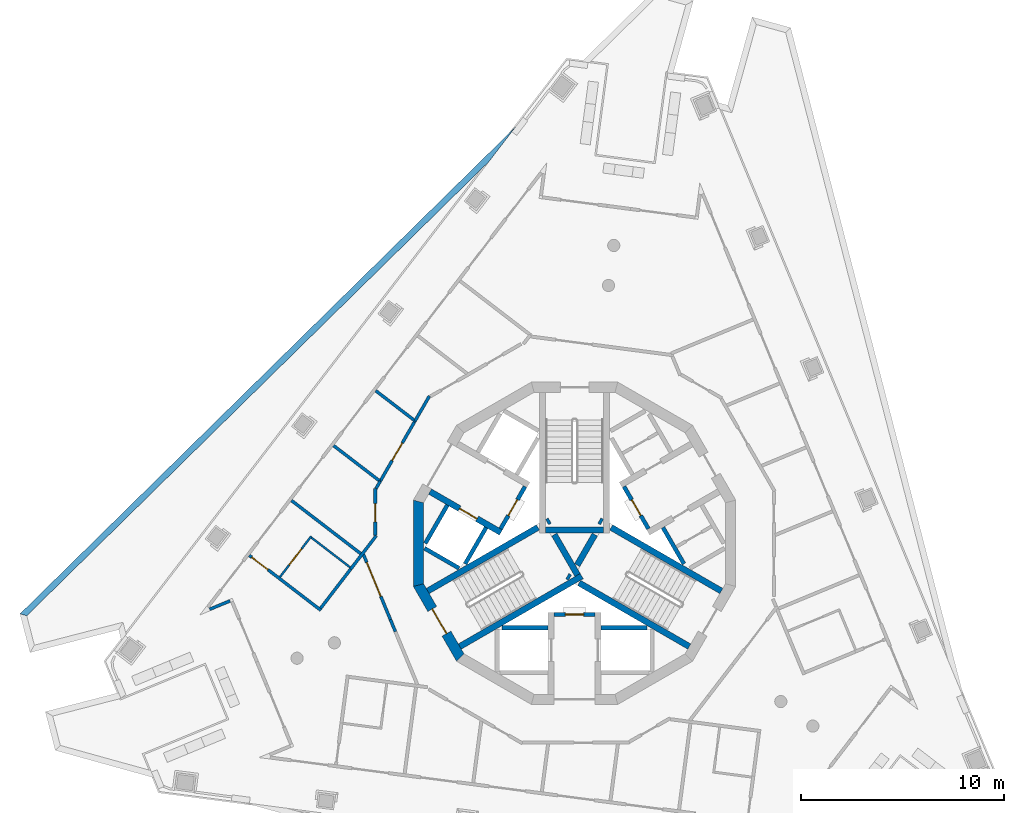
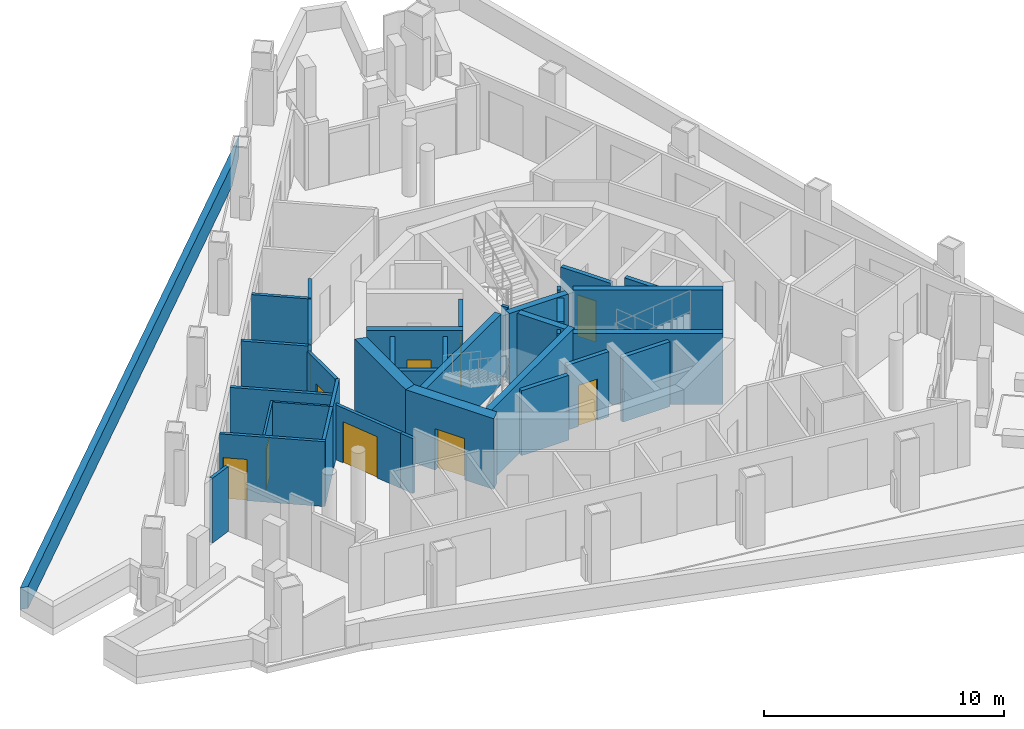
# One storey, part 3 of 12: 38 walls, 10 doors, 10 openings.
"""IFC4 building model written with IfcOpenShell, lengths in metres."""

from ifc_helpers import new_model, si_unit, direction, frame, frame_2d, origin, place, context, subcontext, project, spatial, polyline, rectangle, outline, extrude, material, layer, layer_set, type_object, element, fill, save


model = new_model("IFC4")

# Units and contexts
model_context = context("Model", 3, precision=1e-05, world=origin(), true_north=direction((0.0, 1.0)))
body_context = subcontext(model_context, "Body", "Model", "MODEL_VIEW")
ifc_project = project(units=[si_unit("LENGTHUNIT", "METRE"), si_unit("AREAUNIT", "SQUARE_METRE"), si_unit("VOLUMEUNIT", "CUBIC_METRE"), si_unit("PLANEANGLEUNIT", "RADIAN"), si_unit("MASSUNIT", "GRAM", prefix="KILO")], contexts=[model_context])

# Site, building, storey
site_placement = place(None, origin())
site = spatial("IfcSite", under=ifc_project, at=site_placement, CompositionType="ELEMENT")
building_placement = place(site_placement, origin())
building = spatial("IfcBuilding", under=site, at=building_placement, Name="Trine Commons Tower", CompositionType="ELEMENT")
storey_placement = place(building_placement, frame((0.0, 0.0, 271.800048828125)))
storey = spatial("IfcBuildingStorey", under=building, at=storey_placement, Name="L71", CompositionType="ELEMENT", Elevation=271.800048828125)

# Wall
ifc_material_1 = material(Name="Aluminium-framed insulated wall panel", Category="aluminium")
ifc_layer_1 = layer(ifc_material_1, 0.14990234375)
ifc_layer_set_1 = layer_set([ifc_layer_1], Name="Aluminium-framed insulated wall panel")
wall_type_1 = type_object("IfcWallType", Name="Glazed frame wall 150, EI 60", PredefinedType="SOLIDWALL", material=ifc_layer_set_1)
wall_1_placement = place(storey_placement, frame((63.17138671875, 59.712890625, 0.0), z_axis=(0.0, 0.0, 1.0), x_axis=(-0.923837625967, -0.382784588048, 0.0)))
element("IfcWall", 1, at=wall_1_placement, inside=storey, type_object=wall_type_1, Name="Glazed frame wall R12", PredefinedType="SOLIDWALL", context=body_context, shape_type="SweptSolid", body=[
    extrude(outline(polyline([(0.110107421875, 0.074951171875), (0.110107421875, -0.074951171875), (1.19580078125, -0.074951171875), (1.19580078125, 0.074951171875), (0.110107421875, 0.074951171875)])), origin(), (0.0, 0.0, 1.0), 3.300048828125),
])

# Wall, opening, door
ifc_material_2 = material(Name="Fire-rated gypsum shaft wall system")
ifc_layer_2 = layer(ifc_material_2, 0.199951171875)
ifc_layer_set_2 = layer_set([ifc_layer_2], Name="Fire-rated gypsum shaft wall system")
wall_type_2 = type_object("IfcWallType", Name="Lobby end wall 200 mm, EI 120", PredefinedType="PARTITIONING", material=ifc_layer_set_2)
wall_2_placement = place(storey_placement, frame((77.569091796875, 65.2890625, 0.0), z_axis=(0.0, 0.0, 1.0), x_axis=(-0.50012165622, -0.865955154139, 0.0)))
wall_2 = element("IfcWall", 2, at=wall_2_placement, inside=storey, type_object=wall_type_2, Name="Lobby end wall L71", PredefinedType="PARTITIONING", context=body_context, shape_type="SweptSolid", body=[
    extrude(rectangle(XDim=2.39990234375, YDim=0.199951171875, at=frame_2d((1.199951171875, 0.0))), origin(), (0.0, 0.0, 1.0), 3.300048828125),
])
opening_1_placement = place(wall_2_placement, frame((0.749755859375, 0.0, 0.0)))
opening_1 = element("IfcOpeningElement", 3, at=opening_1_placement, cuts=wall_2, Name="Opening K19.07", PredefinedType="OPENING", context=body_context, shape_type="SweptSolid", body=[
    extrude(rectangle(XDim=0.89990234375, YDim=2.10009765625, at=frame_2d((0.449951171875, 1.050048828125))), frame((0.0, 0.10986328125, 0.0), z_axis=(0.0, -1.0, 0.0), x_axis=(1.0, 0.0, 0.0)), (0.0, 0.0, 1.0), 0.219970703125),
])
ifc_material_3 = material(Name="Steel door leaf, fire-rated", Category="steel")
door_type_1 = type_object("IfcDoorType", Name="Riser access door, single leaf 900 x 2100, FD60", OperationType="SINGLE_SWING_LEFT", PredefinedType="DOOR", material=ifc_material_3)
door_1_placement = place(opening_1_placement, frame((0.89990234375, 0.0, 0.0), z_axis=(0.0, 0.0, 1.0), x_axis=(-1.0, 0.0, 0.0)))
door_1 = element("IfcDoor", 4, at=door_1_placement, inside=storey, type_object=door_type_1, Name="Riser door, Mechanical riser L71", OperationType="SINGLE_SWING_RIGHT", OverallHeight=2.10009765625, OverallWidth=0.89990234375, PredefinedType="DOOR", context=body_context, shape_type="SweptSolid", body=[
    extrude(rectangle(XDim=0.89990234375, YDim=2.10009765625, at=frame_2d((0.449951171875, 1.050048828125))), frame((0.0, 0.02490234375, 0.0), z_axis=(0.0, -1.0, 0.0), x_axis=(1.0, 0.0, 0.0)), (0.0, 0.0, 1.0), 0.050048828125),
])
fill(opening_1, door_1)

wall_3_placement = place(storey_placement, frame((79.0, 59.0, 0.0), z_axis=(0.0, 0.0, 1.0), x_axis=(1.0, 0.0, 0.0)))
wall_3 = element("IfcWall", 5, at=wall_3_placement, inside=storey, type_object=wall_type_2, Name="Lobby end wall L71", PredefinedType="PARTITIONING", context=body_context, shape_type="SweptSolid", body=[
    extrude(rectangle(XDim=2.0, YDim=0.199951171875, at=frame_2d((1.0, 0.0))), origin(), (0.0, 0.0, 1.0), 3.300048828125),
])
opening_2_placement = place(wall_3_placement, frame((0.550048828125, 0.0, 0.0)))
opening_2 = element("IfcOpeningElement", 6, at=opening_2_placement, cuts=wall_3, Name="Opening K19.09", PredefinedType="OPENING", context=body_context, shape_type="SweptSolid", body=[
    extrude(rectangle(XDim=0.89990234375, YDim=2.10009765625, at=frame_2d((0.449951171875, 1.050048828125))), frame((0.0, 0.10986328125, 0.0), z_axis=(0.0, -1.0, 0.0), x_axis=(1.0, 0.0, 0.0)), (0.0, 0.0, 1.0), 0.219970703125),
])
door_2_placement = place(opening_2_placement, frame((0.89990234375, 0.0, 0.0), z_axis=(0.0, 0.0, 1.0), x_axis=(-1.0, 0.0, 0.0)))
door_2 = element("IfcDoor", 7, at=door_2_placement, inside=storey, type_object=door_type_1, Name="Riser door, Communications riser L71", OperationType="SINGLE_SWING_RIGHT", OverallHeight=2.10009765625, OverallWidth=0.89990234375, PredefinedType="DOOR", context=body_context, shape_type="SweptSolid", body=[
    extrude(rectangle(XDim=0.89990234375, YDim=2.10009765625, at=frame_2d((0.449951171875, 1.050048828125))), frame((0.0, 0.02490234375, 0.0), z_axis=(0.0, -1.0, 0.0), x_axis=(1.0, 0.0, 0.0)), (0.0, 0.0, 1.0), 0.050048828125),
])
fill(opening_2, door_2)

wall_4_placement = place(storey_placement, frame((83.631103515625, 63.2109375, 0.0), z_axis=(0.0, 0.0, 1.0), x_axis=(-0.50012165622, 0.865955154139, 0.0)))
wall_4 = element("IfcWall", 8, at=wall_4_placement, inside=storey, type_object=wall_type_2, Name="Lobby end wall L71", PredefinedType="PARTITIONING", context=body_context, shape_type="SweptSolid", body=[
    extrude(rectangle(XDim=2.39990234375, YDim=0.199951171875, at=frame_2d((1.199951171875, 0.0))), origin(), (0.0, 0.0, 1.0), 3.300048828125),
])
opening_3_placement = place(wall_4_placement, frame((0.749755859375, 0.0, 0.0)))
opening_3 = element("IfcOpeningElement", 9, at=opening_3_placement, cuts=wall_4, Name="Opening K19.05", PredefinedType="OPENING", context=body_context, shape_type="SweptSolid", body=[
    extrude(rectangle(XDim=0.89990234375, YDim=2.10009765625, at=frame_2d((0.449951171875, 1.050048828125))), frame((0.0, 0.10986328125, 0.0), z_axis=(0.0, -1.0, 0.0), x_axis=(1.0, 0.0, 0.0)), (0.0, 0.0, 1.0), 0.219970703125),
])
door_3_placement = place(opening_3_placement, frame((0.89990234375, 0.0, 0.0), z_axis=(0.0, 0.0, 1.0), x_axis=(-1.0, 0.0, 0.0)))
door_3 = element("IfcDoor", 10, at=door_3_placement, inside=storey, type_object=door_type_1, Name="Riser door, Electrical riser L71", OperationType="SINGLE_SWING_LEFT", OverallHeight=2.10009765625, OverallWidth=0.89990234375, PredefinedType="DOOR", context=body_context, shape_type="SweptSolid", body=[
    extrude(rectangle(XDim=0.89990234375, YDim=2.10009765625, at=frame_2d((0.449951171875, 1.050048828125))), frame((0.0, 0.02490234375, 0.0), z_axis=(0.0, -1.0, 0.0), x_axis=(1.0, 0.0, 0.0)), (0.0, 0.0, 1.0), 0.050048828125),
])
fill(opening_3, door_3)

ifc_material_4 = material(Name="Concrete C50/60", Category="concrete")
ifc_layer_3 = layer(ifc_material_4, 0.300048828125)
ifc_layer_set_3 = layer_set([ifc_layer_3], Name="Concrete C50/60")
wall_type_3 = type_object("IfcWallType", Name="RC shear wall 300 mm, C50/60", PredefinedType="SHEAR", material=ifc_layer_set_3)
wall_5_placement = place(storey_placement, frame((76.381103515625, 63.031005859375, 0.0), z_axis=(0.0, 0.0, 1.0), x_axis=(-0.866071331441, 0.499920442526, 0.0)))
wall_5 = element("IfcWall", 11, at=wall_5_placement, inside=storey, type_object=wall_type_3, Name="Core cross wall SWD-01 L71", PredefinedType="SHEAR", context=body_context, shape_type="SweptSolid", body=[
    extrude(rectangle(XDim=4.020751953125, YDim=0.300048828125, at=frame_2d((2.01025390625, 0.0))), origin(), (0.0, 0.0, 1.0), 3.599853515625),
])
opening_4_placement = place(wall_5_placement, frame((1.350341796875, 0.0, 0.0)))
opening_4 = element("IfcOpeningElement", 12, at=opening_4_placement, cuts=wall_5, Name="Opening LD7", PredefinedType="OPENING", context=body_context, shape_type="SweptSolid", body=[
    extrude(rectangle(XDim=1.0, YDim=2.10009765625, at=frame_2d((0.5, 1.050048828125))), frame((0.0, 0.159912109375, 0.0), z_axis=(0.0, -1.0, 0.0), x_axis=(1.0, 0.0, 0.0)), (0.0, 0.0, 1.0), 0.320068359375),
])
ifc_material_5 = material(Name="Stainless steel sliding door leaves", Category="steel")
door_type_2 = type_object("IfcDoorType", Name="Lift landing door, centre-opening sliding 1000 x 2100, FD90", OperationType="DOUBLE_DOOR_SLIDING", PredefinedType="DOOR", material=ifc_material_5)
door_4_placement = place(opening_4_placement, origin())
door_4 = element("IfcDoor", 13, at=door_4_placement, inside=storey, type_object=door_type_2, Name="Lift landing door HR3 L71", OperationType="DOUBLE_DOOR_SLIDING", OverallHeight=2.10009765625, OverallWidth=1.0, PredefinedType="DOOR", context=body_context, shape_type="SweptSolid", body=[
    extrude(rectangle(XDim=1.0, YDim=2.10009765625, at=frame_2d((0.5, 1.050048828125))), frame((0.0, 0.02490234375, 0.0), z_axis=(0.0, -1.0, 0.0), x_axis=(1.0, 0.0, 0.0)), (0.0, 0.0, 1.0), 0.050048828125),
])
fill(opening_4, door_4)

# Walls
wall_6_placement = place(storey_placement, frame((78.199951171875, 63.280029296875, 0.0), z_axis=(0.0, 0.0, 1.0), x_axis=(-0.866013897511, -0.50001992892, 0.0)))
element("IfcWall", 14, at=wall_6_placement, inside=storey, type_object=wall_type_3, Name="Core cross wall SWD-07 L71", PredefinedType="SHEAR", context=body_context, shape_type="SweptSolid", body=[
    extrude(rectangle(XDim=6.251708984375, YDim=0.300048828125, at=frame_2d((3.1259765625, 0.0))), origin(), (0.0, 0.0, 1.0), 3.599853515625),
])
wall_7_placement = place(storey_placement, frame((78.779052734375, 63.614013671875, 0.0), z_axis=(0.0, 0.0, 1.0), x_axis=(-0.867737973955, -0.497021939713, 0.0)))
element("IfcWall", 15, at=wall_7_placement, inside=storey, type_object=wall_type_3, Name="Core cross wall SWD-09 L71", PredefinedType="SHEAR", context=body_context, shape_type="SweptSolid", body=[
    extrude(rectangle(XDim=0.14892578125, YDim=0.300048828125, at=frame_2d((0.074462890625, 0.0))), origin(), (0.0, 0.0, 1.0), 3.599853515625),
])
wall_8_placement = place(storey_placement, frame((79.0029296875, 62.926025390625, 0.0), z_axis=(0.0, 0.0, 1.0), x_axis=(0.499965247104, -0.866045467449, 0.0)))
element("IfcWall", 16, at=wall_8_placement, inside=storey, type_object=wall_type_3, Name="Core cross wall SWD-10 L71", PredefinedType="SHEAR", context=body_context, shape_type="SweptSolid", body=[
    extrude(rectangle(XDim=2.292236328125, YDim=0.300048828125, at=frame_2d((1.14599609375, 0.0))), origin(), (0.0, 0.0, 1.0), 3.599853515625),
])
wall_9_placement = place(storey_placement, frame((79.64599609375, 60.885986328125, 0.0), z_axis=(0.0, 0.0, 1.0), x_axis=(0.867331893649, -0.497730234424, 0.0)))
element("IfcWall", 17, at=wall_9_placement, inside=storey, type_object=wall_type_3, Name="Core cross wall SWD-11 L71", PredefinedType="SHEAR", context=body_context, shape_type="SweptSolid", body=[
    extrude(rectangle(XDim=0.148681640625, YDim=0.300048828125, at=frame_2d((0.07421875, 0.0))), origin(), (0.0, 0.0, 1.0), 3.599853515625),
])
wall_10_placement = place(storey_placement, frame((80.1298828125, 61.424072265625, 0.0), z_axis=(0.0, 0.0, 1.0), x_axis=(0.500014901547, 0.866016800201, 0.0)))
element("IfcWall", 18, at=wall_10_placement, inside=storey, type_object=wall_type_3, Name="Core cross wall SWD-12 L71", PredefinedType="SHEAR", context=body_context, shape_type="SweptSolid", body=[
    extrude(rectangle(XDim=1.734375, YDim=0.300048828125, at=frame_2d((0.8671875, 0.0))), origin(), (0.0, 0.0, 1.0), 3.599853515625),
])
wall_11_placement = place(storey_placement, frame((80.22509765625, 60.552001953125, 0.0), z_axis=(0.0, 0.0, 1.0), x_axis=(0.866004133274, -0.500036839795, 0.0)))
element("IfcWall", 19, at=wall_11_placement, inside=storey, type_object=wall_type_3, Name="Core cross wall SWD-13 L71", PredefinedType="SHEAR", context=body_context, shape_type="SweptSolid", body=[
    extrude(rectangle(XDim=6.25146484375, YDim=0.300048828125, at=frame_2d((3.125732421875, 0.0))), origin(), (0.0, 0.0, 1.0), 3.599853515625),
])
wall_12_placement = place(storey_placement, frame((80.35400390625, 60.885986328125, 0.0), z_axis=(0.0, 0.0, 1.0), x_axis=(-0.86602871973, -0.49999425657, 0.0)))
element("IfcWall", 20, at=wall_12_placement, inside=storey, type_object=wall_type_3, Name="Core cross wall SWD-14 L71", PredefinedType="SHEAR", context=body_context, shape_type="SweptSolid", body=[
    extrude(rectangle(XDim=6.919921875, YDim=0.300048828125, at=frame_2d((3.4599609375, 0.0))), origin(), (0.0, 0.0, 1.0), 3.599853515625),
])
wall_13_placement = place(storey_placement, frame((81.220947265625, 63.614013671875, 0.0), z_axis=(0.0, 0.0, 1.0), x_axis=(0.867737973955, -0.497021939713, 0.0)))
element("IfcWall", 21, at=wall_13_placement, inside=storey, type_object=wall_type_3, Name="Core cross wall SWD-15 L71", PredefinedType="SHEAR", context=body_context, shape_type="SweptSolid", body=[
    extrude(rectangle(XDim=0.14892578125, YDim=0.300048828125, at=frame_2d((0.074462890625, 0.0))), origin(), (0.0, 0.0, 1.0), 3.599853515625),
])
wall_14_placement = place(storey_placement, frame((81.425048828125, 63.15087890625, 0.0), z_axis=(0.0, 0.0, 1.0), x_axis=(-1.0, 0.0, 0.0)))
element("IfcWall", 22, at=wall_14_placement, inside=storey, type_object=wall_type_3, Name="Core cross wall SWD-16 L71", PredefinedType="SHEAR", context=body_context, shape_type="SweptSolid", body=[
    extrude(rectangle(XDim=2.85009765625, YDim=0.300048828125, at=frame_2d((1.425048828125, 0.0))), origin(), (0.0, 0.0, 1.0), 3.599853515625),
])
wall_15_placement = place(storey_placement, frame((81.800048828125, 63.280029296875, 0.0), z_axis=(0.0, 0.0, 1.0), x_axis=(0.866013897511, -0.50001992892, 0.0)))
element("IfcWall", 23, at=wall_15_placement, inside=storey, type_object=wall_type_3, Name="Core cross wall SWD-18 L71", PredefinedType="SHEAR", context=body_context, shape_type="SweptSolid", body=[
    extrude(rectangle(XDim=6.251708984375, YDim=0.300048828125, at=frame_2d((3.1259765625, 0.0))), origin(), (0.0, 0.0, 1.0), 3.599853515625),
])
ifc_layer_4 = layer(ifc_material_4, 0.5)
ifc_layer_set_4 = layer_set([ifc_layer_4], Name="Concrete C50/60")
wall_type_4 = type_object("IfcWallType", Name="RC shear wall 500 mm, C50/60", PredefinedType="SHEAR", material=ifc_layer_set_4)
wall_16_placement = place(storey_placement, frame((72.329345703125, 64.622314453125, 0.0), z_axis=(0.0, 0.0, 1.0), x_axis=(0.0, -1.0, 0.0)))
element("IfcWall", 24, at=wall_16_placement, inside=storey, type_object=wall_type_4, Name="Core wall CWH-07 L71", PredefinedType="SHEAR", context=body_context, shape_type="SweptSolid", body=[
    extrude(outline(polyline([(0.0, -0.25), (4.24462890625, -0.25), (4.110595703125, 0.25), (0.134033203125, 0.25), (0.0, -0.25)])), origin(), (0.0, 0.0, 1.0), 3.599853515625),
])

# Wall, opening, door
wall_17_placement = place(storey_placement, frame((72.2958984375, 60.502685546875, 0.0), z_axis=(0.0, 0.0, 1.0), x_axis=(0.499992968425, -0.866029463428, 0.0)))
wall_17 = element("IfcWall", 25, at=wall_17_placement, inside=storey, type_object=wall_type_4, Name="Core wall CWH-08 L71", PredefinedType="SHEAR", context=body_context, shape_type="SweptSolid", body=[
    extrude(outline(polyline([(0.0, -0.25), (4.24462890625, -0.25), (4.110595703125, 0.25), (0.134033203125, 0.25), (0.0, -0.25)])), origin(), (0.0, 0.0, 1.0), 3.599853515625),
])
opening_5_placement = place(wall_17_placement, frame((1.42236328125, 0.0, 0.0)))
opening_5 = element("IfcOpeningElement", 26, at=opening_5_placement, cuts=wall_17, Name="Opening K19.02", PredefinedType="OPENING", context=body_context, shape_type="SweptSolid", body=[
    extrude(rectangle(XDim=1.39990234375, YDim=2.10009765625, at=frame_2d((0.699951171875, 1.050048828125))), frame((0.0, 0.260009765625, 0.0), z_axis=(0.0, -1.0, 0.0), x_axis=(1.0, 0.0, 0.0)), (0.0, 0.0, 1.0), 0.52001953125),
])
ifc_material_6 = material(Name="Steel door leaves, fire-rated", Category="steel")
door_type_3 = type_object("IfcDoorType", Name="Stair door, double leaf 1400 x 2100, FD90", OperationType="DOUBLE_DOOR_SINGLE_SWING", PredefinedType="DOOR", material=ifc_material_6)
door_5_placement = place(opening_5_placement, origin())
door_5 = element("IfcDoor", 27, at=door_5_placement, inside=storey, type_object=door_type_3, Name="Stair door to Exit stair ST2D L71", OperationType="DOUBLE_DOOR_SINGLE_SWING", OverallHeight=2.10009765625, OverallWidth=1.39990234375, PredefinedType="DOOR", context=body_context, shape_type="SweptSolid", body=[
    extrude(rectangle(XDim=1.39990234375, YDim=2.10009765625, at=frame_2d((0.699951171875, 1.050048828125))), frame((0.0, 0.02490234375, 0.0), z_axis=(0.0, -1.0, 0.0), x_axis=(1.0, 0.0, 0.0)), (0.0, 0.0, 1.0), 0.050048828125),
])
fill(opening_5, door_5)

# Walls
ifc_layer_5 = layer(ifc_material_2, 0.199951171875)
ifc_layer_set_5 = layer_set([ifc_layer_5], Name="Fire-rated gypsum shaft wall system")
wall_type_5 = type_object("IfcWallType", Name="Shaft wall 200 mm, EI 120", PredefinedType="PARTITIONING", material=ifc_layer_set_5)
wall_18_placement = place(storey_placement, frame((73.7509765625, 64.3759765625, 0.0), z_axis=(0.0, 0.0, 1.0), x_axis=(-0.499865263774, -0.866103179807, 0.0)))
element("IfcWall", 28, at=wall_18_placement, inside=storey, type_object=wall_type_5, Name="Shaft wall L71", PredefinedType="PARTITIONING", context=body_context, shape_type="SweptSolid", body=[
    extrude(rectangle(XDim=2.17041015625, YDim=0.199951171875, at=frame_2d((1.085205078125, 0.0))), origin(), (0.0, 0.0, 1.0), 3.300048828125),
])
wall_19_placement = place(storey_placement, frame((74.324951171875, 61.27294921875, 0.0), z_axis=(0.0, 0.0, 1.0), x_axis=(-0.86585547495, 0.500294209939, 0.0)))
element("IfcWall", 29, at=wall_19_placement, inside=storey, type_object=wall_type_5, Name="Shaft wall L71", PredefinedType="PARTITIONING", context=body_context, shape_type="SweptSolid", body=[
    extrude(rectangle(XDim=1.958740234375, YDim=0.199951171875, at=frame_2d((0.9794921875, 0.0))), origin(), (0.0, 0.0, 1.0), 3.300048828125),
])
wall_20_placement = place(storey_placement, frame((75.656005859375, 63.27587890625, 0.0), z_axis=(0.0, 0.0, 1.0), x_axis=(-0.500271688072, -0.86586848777, 0.0)))
element("IfcWall", 30, at=wall_20_placement, inside=storey, type_object=wall_type_5, Name="Shaft wall L71", PredefinedType="PARTITIONING", context=body_context, shape_type="SweptSolid", body=[
    extrude(rectangle(XDim=2.064697265625, YDim=0.199951171875, at=frame_2d((1.0322265625, 0.0))), origin(), (0.0, 0.0, 1.0), 3.300048828125),
])
for number, where, z_axis, x_axis, name in (
    (31, (78.699951171875, 58.35009765625, 0.0), (0.0, 0.0, 1.0), (-1.0, 0.0, 0.0), "Shaft wall L71"),
    (32, (81.300048828125, 58.35009765625, 0.0), (0.0, 0.0, 1.0), (1.0, 0.0, 0.0), "Shaft wall L71"),
):
    element("IfcWall", number, at=place(storey_placement, frame(where, z_axis=z_axis, x_axis=x_axis)), inside=storey, type_object=wall_type_5, Name=name, PredefinedType="PARTITIONING", context=body_context, shape_type="SweptSolid", body=[
        extrude(rectangle(XDim=2.264892578125, YDim=0.199951171875, at=frame_2d((1.13232421875, 0.0))), origin(), (0.0, 0.0, 1.0), 3.300048828125),
    ])
wall_21_placement = place(storey_placement, frame((84.343994140625, 63.27587890625, 0.0), z_axis=(0.0, 0.0, 1.0), x_axis=(0.500271688072, -0.86586848777, 0.0)))
element("IfcWall", 33, at=wall_21_placement, inside=storey, type_object=wall_type_5, Name="Shaft wall L71", PredefinedType="PARTITIONING", context=body_context, shape_type="SweptSolid", body=[
    extrude(rectangle(XDim=2.064697265625, YDim=0.199951171875, at=frame_2d((1.0322265625, 0.0))), origin(), (0.0, 0.0, 1.0), 3.300048828125),
])
ifc_material_7 = material(Name="Limestone, honed", Category="masonry")
ifc_layer_6 = layer(ifc_material_7, 0.300048828125)
ifc_layer_set_6 = layer_set([ifc_layer_6], Name="Limestone, honed")
wall_type_6 = type_object("IfcWallType", Name="Stone parapet 300", PredefinedType="PARAPET", material=ifc_layer_set_6)
wall_22_placement = place(storey_placement, origin())
element("IfcWall", 34, at=wall_22_placement, inside=storey, type_object=wall_type_6, Name="Sliver roof parapet L70 2.1", PredefinedType="PARAPET", context=body_context, shape_type="SweptSolid", body=[
    extrude(outline(polyline([(77.102783203125, 82.965576171875), (52.745361328125, 59.029541015625), (53.0791015625, 58.93701171875), (75.790771484375, 81.255615234375), (77.102783203125, 82.965576171875)])), origin(), (0.0, 0.0, 1.0), 1.099853515625),
])

# Wall, opening, door
ifc_material_8 = material(Name="Gypsum plasterboard on steel stud", Category="steel")
ifc_layer_7 = layer(ifc_material_8, 0.14990234375)
ifc_layer_set_7 = layer_set([ifc_layer_7], Name="Gypsum plasterboard on steel stud")
wall_type_7 = type_object("IfcWallType", Name="Unit and corridor wall 150 mm, EI 60", PredefinedType="PARTITIONING", material=ifc_layer_set_7)
wall_23_placement = place(storey_placement, frame((64.017578125, 61.903564453125, 0.0), z_axis=(0.0, 0.0, 1.0), x_axis=(0.793364364442, -0.608747061786, 0.0)))
wall_23 = element("IfcWall", 35, at=wall_23_placement, inside=storey, type_object=wall_type_7, Name="Partition 001", PredefinedType="PARTITIONING", context=body_context, shape_type="SweptSolid", body=[
    extrude(rectangle(XDim=4.43408203125, YDim=0.14990234375, at=frame_2d((2.217041015625, 0.0))), origin(), (0.0, 0.0, 1.0), 3.300048828125),
])
opening_6_placement = place(wall_23_placement, frame((0.14990234375, 0.0, 0.0)))
opening_6 = element("IfcOpeningElement", 36, at=opening_6_placement, cuts=wall_23, Name="Opening D-8A04", PredefinedType="OPENING", context=body_context, shape_type="SweptSolid", body=[
    extrude(rectangle(XDim=1.0, YDim=2.10009765625, at=frame_2d((0.5, 1.050048828125))), frame((0.0, 0.0849609375, 0.0), z_axis=(0.0, -1.0, 0.0), x_axis=(1.0, 0.0, 0.0)), (0.0, 0.0, 1.0), 0.169921875),
])
ifc_material_9 = material(Name="Timber fire door set", Category="wood")
door_type_4 = type_object("IfcDoorType", Name="Bedroom door 1000 x 2100, FD30S", OperationType="NOTDEFINED", PredefinedType="DOOR", material=ifc_material_9)
door_6_placement = place(opening_6_placement, origin())
door_6 = element("IfcDoor", 37, at=door_6_placement, inside=storey, type_object=door_type_4, Name="Door D-8A04", OperationType="SINGLE_SWING_LEFT", OverallHeight=2.10009765625, OverallWidth=1.0, PredefinedType="DOOR", context=body_context, shape_type="SweptSolid", body=[
    extrude(rectangle(XDim=1.0, YDim=2.10009765625, at=frame_2d((0.5, 1.050048828125))), frame((0.0, 0.02490234375, 0.0), z_axis=(0.0, -1.0, 0.0), x_axis=(1.0, 0.0, 0.0)), (0.0, 0.0, 1.0), 0.050048828125),
])
fill(opening_6, door_6)

# Walls
wall_24_placement = place(storey_placement, frame((66.087646484375, 64.6025390625, 0.0), z_axis=(0.0, 0.0, 1.0), x_axis=(0.793347717383, -0.608768756855, 0.0)))
element("IfcWall", 38, at=wall_24_placement, inside=storey, type_object=wall_type_7, Name="Partition 003", PredefinedType="PARTITIONING", context=body_context, shape_type="SweptSolid", body=[
    extrude(rectangle(XDim=4.285400390625, YDim=0.14990234375, at=frame_2d((2.142578125, 0.0))), origin(), (0.0, 0.0, 1.0), 3.300048828125),
])
wall_25_placement = place(storey_placement, frame((67.521728515625, 59.3095703125, 0.0), z_axis=(0.0, 0.0, 1.0), x_axis=(0.608882210114, 0.793260647081, 0.0)))
element("IfcWall", 39, at=wall_25_placement, inside=storey, type_object=wall_type_7, Name="Partition 005", PredefinedType="PARTITIONING", context=body_context, shape_type="SweptSolid", body=[
    extrude(rectangle(XDim=2.478759765625, YDim=0.14990234375, at=frame_2d((1.2392578125, 0.0))), origin(), (0.0, 0.0, 1.0), 3.300048828125),
])
wall_26_placement = place(storey_placement, frame((68.15771484375, 67.300537109375, 0.0), z_axis=(0.0, 0.0, 1.0), x_axis=(0.793362540986, -0.608749438242, 0.0)))
element("IfcWall", 40, at=wall_26_placement, inside=storey, type_object=wall_type_7, Name="Partition 006", PredefinedType="PARTITIONING", context=body_context, shape_type="SweptSolid", body=[
    extrude(rectangle(XDim=2.885498046875, YDim=0.14990234375, at=frame_2d((1.44287109375, 0.0))), origin(), (0.0, 0.0, 1.0), 3.300048828125),
])
wall_27_placement = place(storey_placement, frame((68.99658203125, 61.230224609375, 0.0), z_axis=(0.0, 0.0, 1.0), x_axis=(0.60842656581, 0.793610177617, 0.0)))
element("IfcWall", 41, at=wall_27_placement, inside=storey, type_object=wall_type_7, Name="Partition 011", PredefinedType="PARTITIONING", context=body_context, shape_type="SweptSolid", body=[
    extrude(rectangle(XDim=2.059326171875, YDim=0.14990234375, at=frame_2d((1.02978515625, 0.0))), origin(), (0.0, 0.0, 1.0), 3.300048828125),
])

# Wall, opening, door
wall_28_placement = place(storey_placement, frame((69.626708984375, 61.94580078125, 0.0), z_axis=(0.0, 0.0, 1.0), x_axis=(0.382659407135, -0.923889483721, 0.0)))
wall_28 = element("IfcWall", 42, at=wall_28_placement, inside=storey, type_object=wall_type_7, Name="Partition 012", PredefinedType="PARTITIONING", context=body_context, shape_type="SweptSolid", body=[
    extrude(rectangle(XDim=3.4580078125, YDim=0.14990234375, at=frame_2d((1.72900390625, 0.0))), origin(), (0.0, 0.0, 1.0), 2.800048828125),
])
opening_7_placement = place(wall_28_placement, frame((0.421630859375, 0.0, 0.0)))
opening_7 = element("IfcOpeningElement", 43, at=opening_7_placement, cuts=wall_28, Name="Opening D-8A03", PredefinedType="OPENING", context=body_context, shape_type="SweptSolid", body=[
    extrude(rectangle(XDim=1.800048828125, YDim=2.10009765625, at=frame_2d((0.89990234375, 1.050048828125))), frame((0.0, 0.0849609375, 0.0), z_axis=(0.0, -1.0, 0.0), x_axis=(1.0, 0.0, 0.0)), (0.0, 0.0, 1.0), 0.169921875),
])
door_type_5 = type_object("IfcDoorType", Name="Cluster entrance door 1800 x 2100, double leaf, FD30S", OperationType="DOUBLE_DOOR_DOUBLE_SWING", PredefinedType="DOOR", material=ifc_material_9)
door_7_placement = place(opening_7_placement, frame((1.800048828125, 0.0, 0.0), z_axis=(0.0, 0.0, 1.0), x_axis=(-1.0, 0.0, 0.0)))
door_7 = element("IfcDoor", 44, at=door_7_placement, inside=storey, type_object=door_type_5, Name="Door D-8A03", OperationType="DOUBLE_DOOR_DOUBLE_SWING", OverallHeight=2.10009765625, OverallWidth=1.800048828125, PredefinedType="DOOR", context=body_context, shape_type="SweptSolid", body=[
    extrude(rectangle(XDim=1.800048828125, YDim=2.10009765625, at=frame_2d((0.89990234375, 1.050048828125))), frame((0.0, 0.02490234375, 0.0), z_axis=(0.0, -1.0, 0.0), x_axis=(1.0, 0.0, 0.0)), (0.0, 0.0, 1.0), 0.050048828125),
])
fill(opening_7, door_7)

# Wall
wall_29_placement = place(storey_placement, frame((70.228759765625, 69.99853515625, 0.0), z_axis=(0.0, 0.0, 1.0), x_axis=(0.793302775826, -0.608827320237, 0.0)))
element("IfcWall", 45, at=wall_29_placement, inside=storey, type_object=wall_type_7, Name="Partition 013", PredefinedType="PARTITIONING", context=body_context, shape_type="SweptSolid", body=[
    extrude(rectangle(XDim=2.511962890625, YDim=0.14990234375, at=frame_2d((1.255859375, 0.0))), origin(), (0.0, 0.0, 1.0), 3.300048828125),
])

# Wall, opening, door
wall_30_placement = place(storey_placement, frame((70.2041015625, 62.8798828125, 0.0), z_axis=(0.0, 0.0, 1.0), x_axis=(0.0, 1.0, 0.0)))
wall_30 = element("IfcWall", 46, at=wall_30_placement, inside=storey, type_object=wall_type_7, Name="Partition 014", PredefinedType="PARTITIONING", context=body_context, shape_type="SweptSolid", body=[
    extrude(rectangle(XDim=2.320068359375, YDim=0.14990234375, at=frame_2d((1.16015625, 0.0))), origin(), (0.0, 0.0, 1.0), 3.300048828125),
])
opening_8_placement = place(wall_30_placement, frame((0.672607421875, 0.0, 0.0)))
opening_8 = element("IfcOpeningElement", 47, at=opening_8_placement, cuts=wall_30, Name="Opening D-8A05", PredefinedType="OPENING", context=body_context, shape_type="SweptSolid", body=[
    extrude(rectangle(XDim=0.89990234375, YDim=2.10009765625, at=frame_2d((0.449951171875, 1.050048828125))), frame((0.0, 0.0849609375, 0.0), z_axis=(0.0, -1.0, 0.0), x_axis=(1.0, 0.0, 0.0)), (0.0, 0.0, 1.0), 0.169921875),
])
door_type_6 = type_object("IfcDoorType", Name="Service door 900 x 2100, FD30S", OperationType="NOTDEFINED", PredefinedType="DOOR", material=ifc_material_9)
door_8_placement = place(opening_8_placement, origin())
door_8 = element("IfcDoor", 48, at=door_8_placement, inside=storey, type_object=door_type_6, Name="Door D-8A05", OperationType="SINGLE_SWING_LEFT", OverallHeight=2.10009765625, OverallWidth=0.89990234375, PredefinedType="DOOR", context=body_context, shape_type="SweptSolid", body=[
    extrude(rectangle(XDim=0.89990234375, YDim=2.10009765625, at=frame_2d((0.449951171875, 1.050048828125))), frame((0.0, 0.02490234375, 0.0), z_axis=(0.0, -1.0, 0.0), x_axis=(1.0, 0.0, 0.0)), (0.0, 0.0, 1.0), 0.050048828125),
])
fill(opening_8, door_8)

# Wall
wall_31_placement = place(storey_placement, frame((70.241455078125, 65.18994140625, 0.0), z_axis=(0.0, 0.0, 1.0), x_axis=(0.499569084189, 0.866274050242, 0.0)))
element("IfcWall", 49, at=wall_31_placement, inside=storey, type_object=wall_type_7, Name="Partition 015", PredefinedType="PARTITIONING", context=body_context, shape_type="SweptSolid", body=[
    extrude(rectangle(XDim=0.413330078125, YDim=0.14990234375, at=frame_2d((0.20654296875, 0.0))), origin(), (0.0, 0.0, 1.0), 3.300048828125),
])

# Wall, opening, door
wall_32_placement = place(storey_placement, frame((70.444091796875, 65.541015625, 0.0), z_axis=(0.0, 0.0, 1.0), x_axis=(0.50001992892, 0.866013897511, 0.0)))
wall_32 = element("IfcWall", 50, at=wall_32_placement, inside=storey, type_object=wall_type_7, Name="Partition 016", PredefinedType="PARTITIONING", context=body_context, shape_type="SweptSolid", body=[
    extrude(rectangle(XDim=3.362548828125, YDim=0.14990234375, at=frame_2d((1.68115234375, 0.0))), origin(), (0.0, 0.0, 1.0), 3.300048828125),
])
opening_9_placement = place(wall_32_placement, frame((1.183349609375, 0.0, 0.0)))
opening_9 = element("IfcOpeningElement", 51, at=opening_9_placement, cuts=wall_32, Name="Opening D-8A06", PredefinedType="OPENING", context=body_context, shape_type="SweptSolid", body=[
    extrude(rectangle(XDim=1.0, YDim=2.10009765625, at=frame_2d((0.5, 1.050048828125))), frame((0.0, 0.0849609375, 0.0), z_axis=(0.0, -1.0, 0.0), x_axis=(1.0, 0.0, 0.0)), (0.0, 0.0, 1.0), 0.169921875),
])
ifc_material_10 = material(Name="Painted timber", Category="wood")
door_type_7 = type_object("IfcDoorType", Name="Toilet door 1000 x 2100, NOT RATED", OperationType="NOTDEFINED", PredefinedType="DOOR", material=ifc_material_10)
door_9_placement = place(opening_9_placement, origin())
door_9 = element("IfcDoor", 52, at=door_9_placement, inside=storey, type_object=door_type_7, Name="Door D-8A06", OperationType="SINGLE_SWING_RIGHT", OverallHeight=2.10009765625, OverallWidth=1.0, PredefinedType="DOOR", context=body_context, shape_type="SweptSolid", body=[
    extrude(rectangle(XDim=1.0, YDim=2.10009765625, at=frame_2d((0.5, 1.050048828125))), frame((0.0, 0.02490234375, 0.0), z_axis=(0.0, -1.0, 0.0), x_axis=(1.0, 0.0, 0.0)), (0.0, 0.0, 1.0), 0.050048828125),
])
fill(opening_9, door_9)

# Walls
wall_33_placement = place(storey_placement, frame((70.949951171875, 58.7509765625, 0.0), z_axis=(0.0, 0.0, 1.0), x_axis=(0.383291989612, -0.923627224967, 0.0)))
element("IfcWall", 53, at=wall_33_placement, inside=storey, type_object=wall_type_7, Name="Partition 018", PredefinedType="PARTITIONING", context=body_context, shape_type="SweptSolid", body=[
    extrude(rectangle(XDim=0.64208984375, YDim=0.14990234375, at=frame_2d((0.321044921875, 0.0))), origin(), (0.0, 0.0, 1.0), 2.800048828125),
])
wall_34_placement = place(storey_placement, frame((72.159912109375, 68.511962890625, 0.0), z_axis=(0.0, 0.0, 1.0), x_axis=(0.499891918698, 0.866087795561, 0.0)))
element("IfcWall", 54, at=wall_34_placement, inside=storey, type_object=wall_type_7, Name="Partition 021", PredefinedType="PARTITIONING", context=body_context, shape_type="SweptSolid", body=[
    extrude(rectangle(XDim=1.413330078125, YDim=0.14990234375, at=frame_2d((0.70654296875, 0.0))), origin(), (0.0, 0.0, 1.0), 3.300048828125),
])

# Wall, opening, door
ifc_layer_8 = layer(ifc_material_8, 0.10009765625)
ifc_layer_set_8 = layer_set([ifc_layer_8], Name="Gypsum plasterboard on steel stud")
wall_type_8 = type_object("IfcWallType", Name="Unit partition 100 mm, no rating", PredefinedType="PARTITIONING", material=ifc_layer_set_8)
wall_35_placement = place(storey_placement, frame((65.522705078125, 60.843505859375, 0.0), z_axis=(0.0, 0.0, 1.0), x_axis=(0.608888117026, 0.793256113083, 0.0)))
wall_35 = element("IfcWall", 55, at=wall_35_placement, inside=storey, type_object=wall_type_8, Name="Partition 002", PredefinedType="PARTITIONING", context=body_context, shape_type="SweptSolid", body=[
    extrude(rectangle(XDim=2.525146484375, YDim=0.10009765625, at=frame_2d((1.2626953125, 0.0))), origin(), (0.0, 0.0, 1.0), 3.300048828125),
])
opening_10_placement = place(wall_35_placement, frame((0.737548828125, 0.0, 0.0)))
opening_10 = element("IfcOpeningElement", 56, at=opening_10_placement, cuts=wall_35, Name="Opening D-8A20", PredefinedType="OPENING", context=body_context, shape_type="SweptSolid", body=[
    extrude(rectangle(XDim=1.0, YDim=2.10009765625, at=frame_2d((0.5, 1.050048828125))), frame((0.0, 0.06005859375, 0.0), z_axis=(0.0, -1.0, 0.0), x_axis=(1.0, 0.0, 0.0)), (0.0, 0.0, 1.0), 0.1201171875),
])
door_type_8 = type_object("IfcDoorType", Name="Internal door 1000 x 2100, NOT RATED", OperationType="NOTDEFINED", PredefinedType="DOOR", material=ifc_material_10)
door_10_placement = place(opening_10_placement, origin())
door_10 = element("IfcDoor", 57, at=door_10_placement, inside=storey, type_object=door_type_8, Name="Door D-8A20", OperationType="SINGLE_SWING_LEFT", OverallHeight=2.10009765625, OverallWidth=1.0, PredefinedType="DOOR", context=body_context, shape_type="SweptSolid", body=[
    extrude(rectangle(XDim=1.0, YDim=2.10009765625, at=frame_2d((0.5, 1.050048828125))), frame((0.0, 0.02490234375, 0.0), z_axis=(0.0, -1.0, 0.0), x_axis=(1.0, 0.0, 0.0)), (0.0, 0.0, 1.0), 0.050048828125),
])
fill(opening_10, door_10)

# Wall
wall_36_placement = place(storey_placement, frame((67.069580078125, 62.776611328125, 0.0), z_axis=(0.0, 0.0, 1.0), x_axis=(0.793320776326, -0.608803864844, 0.0)))
element("IfcWall", 58, at=wall_36_placement, inside=storey, type_object=wall_type_8, Name="Partition 004", PredefinedType="PARTITIONING", context=body_context, shape_type="SweptSolid", body=[
    extrude(rectangle(XDim=2.394775390625, YDim=0.10009765625, at=frame_2d((1.197265625, 0.0))), origin(), (0.0, 0.0, 1.0), 3.300048828125),
])

save(model, "model.ifc")
